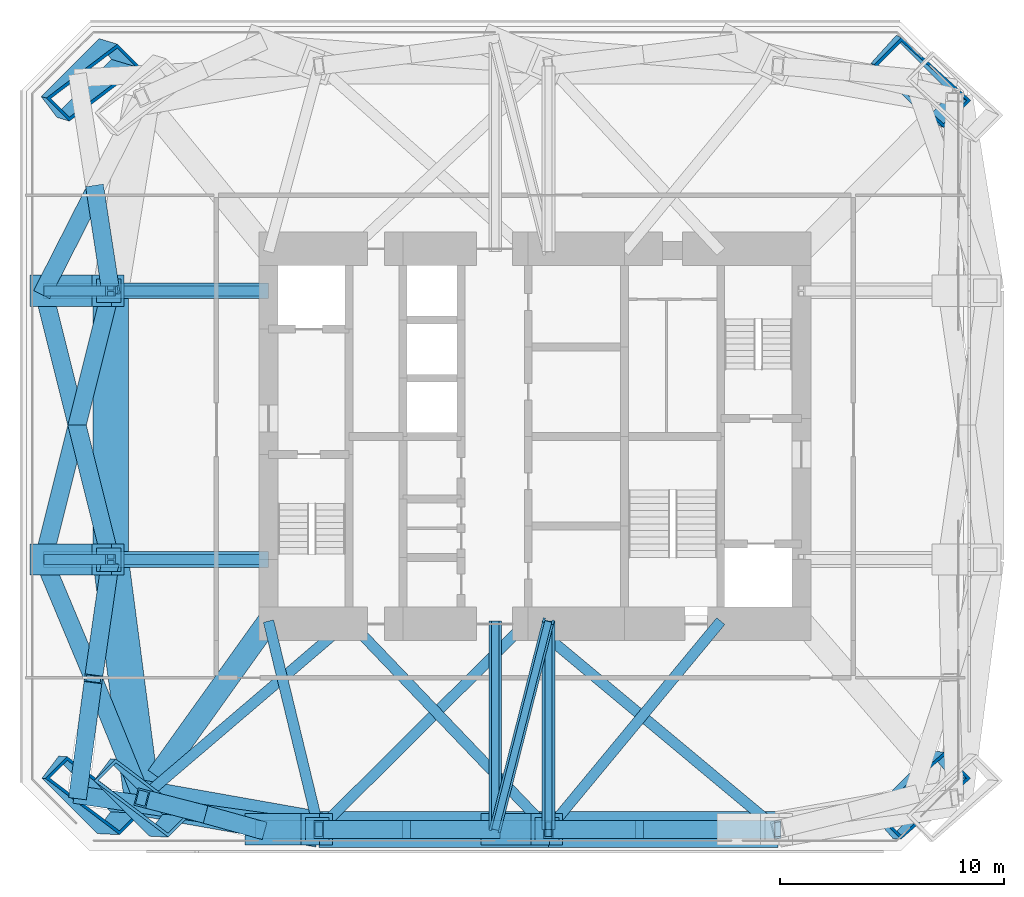
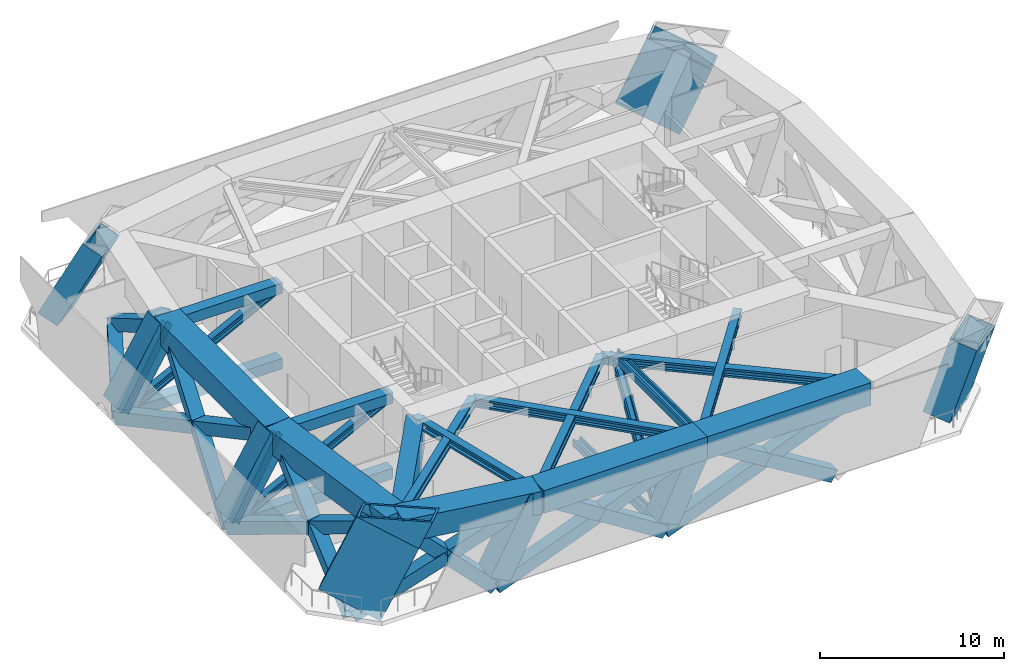
# One storey, part 1 of 8: 44 members, 6 beams, 4 columns.
"""IFC4 building model written with IfcOpenShell, lengths in metres."""

from ifc_helpers import new_model, si_unit, direction, frame, origin, origin_2d, place, context, subcontext, project, spatial, rectangle, hollow_rectangle, i_section, extrude, clip, halfspace, material, material_profile, profile_set, type_object, element, save


model = new_model("IFC4")

# Units and contexts
model_context = context("Model", 3, precision=1e-05, world=origin(), true_north=direction((0.0, 1.0)))
body_context = subcontext(model_context, "Body", "Model", "MODEL_VIEW")
ifc_project = project(units=[si_unit("LENGTHUNIT", "METRE"), si_unit("AREAUNIT", "SQUARE_METRE"), si_unit("VOLUMEUNIT", "CUBIC_METRE"), si_unit("PLANEANGLEUNIT", "RADIAN"), si_unit("MASSUNIT", "GRAM", prefix="KILO")], contexts=[model_context])

# Site, building, storey
site_placement = place(None, origin())
site = spatial("IfcSite", under=ifc_project, at=site_placement, CompositionType="ELEMENT")
building_placement = place(site_placement, origin())
building = spatial("IfcBuilding", under=site, at=building_placement, Name="Jalousie Tower", CompositionType="ELEMENT")
storey_placement = place(building_placement, frame((0.0, 0.0, 149.35009765625)))
storey = spatial("IfcBuildingStorey", under=building, at=storey_placement, Name="L40", CompositionType="ELEMENT", Elevation=149.35009765625)

# Columns
ifc_material_1 = material(Name="Steel EN 10025-2 S355J2 plate", Category="steel")
ifc_material_profile_1 = material_profile(ifc_material_1, hollow_rectangle(XDim=1.300048828125, YDim=3.800048828125, WallThickness=0.125, at=origin_2d()), Name="BOX 3800x1300x125")
ifc_profile_set_1 = profile_set([ifc_material_profile_1], Name="Steel EN 10025-2 S355J2 plate")
column_type_1 = type_object("IfcColumnType", Name="BUILT-UP BOX CORNER COLUMN BOX 3800x1300x125", PredefinedType="COLUMN", material=ifc_profile_set_1)
column_1_placement = place(storey_placement, frame((11.489990234375, 2.489990234375, 0.0), z_axis=(0.496153336889, -0.024578829467, 0.867886943925), x_axis=(0.57458296644, 0.758690253197, -0.306991065636)))
element("IfcColumn", 1, at=column_1_placement, inside=storey, type_object=column_type_1, Name="Corner column raked 01 L40", PredefinedType="COLUMN", context=body_context, shape_type="SweptSolid", body=[
    extrude(hollow_rectangle(XDim=1.300048828125, YDim=3.800048828125, WallThickness=0.125, at=origin_2d()), origin(), (0.0, 0.0, 1.0), 4.67626953125),
])
column_2_placement = place(storey_placement, frame((11.489990234375, 34.510009765625, 0.0), z_axis=(0.490881006736, -0.147415239126, 0.858664419025), x_axis=(0.544149142602, -0.717824668792, -0.434314926614)))
element("IfcColumn", 2, at=column_2_placement, inside=storey, type_object=column_type_1, Name="Corner column raked 12 L40", PredefinedType="COLUMN", context=body_context, shape_type="SweptSolid", body=[
    extrude(hollow_rectangle(XDim=1.300048828125, YDim=3.800048828125, WallThickness=0.125, at=origin_2d()), origin(), (0.0, 0.0, 1.0), 4.89208984375),
])
ifc_material_2 = material(Name="Steel EN 10025-2 S355J2 plate", Category="steel")
ifc_material_profile_2 = material_profile(ifc_material_2, hollow_rectangle(XDim=1.699951171875, YDim=3.89990234375, WallThickness=0.125, at=origin_2d()), Name="BOX 3900x1700x125")
ifc_profile_set_2 = profile_set([ifc_material_profile_2], Name="Steel EN 10025-2 S355J2 plate")
column_type_2 = type_object("IfcColumnType", Name="BUILT-UP BOX CORNER COLUMN BOX 3900x1700x125", PredefinedType="COLUMN", material=ifc_profile_set_2)
column_3_placement = place(storey_placement, frame((48.760009765625, 34.510009765625, 0.0), z_axis=(0.349369254051, -0.158541855607, 0.923474744833), x_axis=(-0.665986145367, -0.735293584717, 0.125721113791)))
element("IfcColumn", 3, at=column_3_placement, inside=storey, type_object=column_type_2, Name="Corner column raked 08 L40", PredefinedType="COLUMN", context=body_context, shape_type="SweptSolid", body=[
    extrude(hollow_rectangle(XDim=1.699951171875, YDim=3.89990234375, WallThickness=0.125, at=origin_2d()), origin(), (0.0, 0.0, 1.0), 4.533203125),
])
ifc_material_3 = material(Name="Steel EN 10025-2 S355J2 plate", Category="steel")
ifc_material_profile_3 = material_profile(ifc_material_3, hollow_rectangle(XDim=1.60009765625, YDim=4.0, WallThickness=0.125, at=origin_2d()), Name="BOX 4000x1600x125")
ifc_profile_set_3 = profile_set([ifc_material_profile_3], Name="Steel EN 10025-2 S355J2 plate")
column_type_3 = type_object("IfcColumnType", Name="BUILT-UP BOX CORNER COLUMN BOX 4000x1600x125", PredefinedType="COLUMN", material=ifc_profile_set_3)
column_4_placement = place(storey_placement, frame((48.760009765625, 2.489990234375, 0.0), z_axis=(0.353720522453, -0.026478820731, 0.934976290634), x_axis=(-0.635348857668, 0.726799609686, 0.260948570451)))
element("IfcColumn", 4, at=column_4_placement, inside=storey, type_object=column_type_3, Name="Corner column raked 05 L40", PredefinedType="COLUMN", context=body_context, shape_type="SweptSolid", body=[
    extrude(hollow_rectangle(XDim=1.60009765625, YDim=4.0, WallThickness=0.125, at=origin_2d()), origin(), (0.0, 0.0, 1.0), 4.610595703125),
])

# Beam
ifc_material_4 = material(Name="Steel ASTM A572 Grade 50 plate", Category="steel")
ifc_material_profile_4 = material_profile(ifc_material_4, hollow_rectangle(XDim=1.0, YDim=2.199951171875, WallThickness=0.10009765625, at=origin_2d()), Name="BOX 2200x1000x100")
ifc_profile_set_4 = profile_set([ifc_material_profile_4], Name="Steel ASTM A572 Grade 50 plate")
beam_type_1 = type_object("IfcBeamType", Name="KINK COLLECTOR BOX 2200x1000x100", PredefinedType="BEAM", material=ifc_profile_set_4)
beam_1_placement = place(storey_placement, frame((15.0302734375, 3.3017578125, 3.619873046875), z_axis=(0.58175713459, 0.813362549146, 0.0), x_axis=(-0.813362549146, 0.58175713459, 0.0)))
element("IfcBeam", 5, at=beam_1_placement, inside=storey, type_object=beam_type_1, Name="Kink collector 01 L41", PredefinedType="BEAM", context=body_context, shape_type="SweptSolid", body=[
    extrude(hollow_rectangle(XDim=1.0, YDim=2.199951171875, WallThickness=0.10009765625, at=origin_2d()), origin(), (0.0, 0.0, 1.0), 8.542724609375),
])

# Members
ifc_material_5 = material(Name="Steel ASTM A992 Grade 50", Category="steel")
ifc_material_profile_5 = material_profile(ifc_material_5, i_section(OverallWidth=0.472412109375, OverallDepth=0.5791015625, WebThickness=0.094970703125, FlangeThickness=0.1298828125, at=origin_2d()), Name="W14X808")
ifc_profile_set_5 = profile_set([ifc_material_profile_5], Name="Steel ASTM A992 Grade 50")
member_type_1 = type_object("IfcMemberType", Name="KINK FLOOR TRUSS DIAGONAL W14X808", PredefinedType="BRACE", material=ifc_profile_set_5)
member_1_placement = place(storey_placement, frame((14.348388671875, 2.348388671875, 4.430419921875), z_axis=(0.760409806303, 0.649443551418, 0.0), x_axis=(-0.649443551418, 0.760409806303, 0.0)))
element("IfcMember", 6, at=member_1_placement, inside=storey, type_object=member_type_1, Name="Kink floor truss L41 01 diagonal", PredefinedType="BRACE", context=body_context, shape_type="SweptSolid", body=[
    extrude(i_section(OverallWidth=0.472412109375, OverallDepth=0.5791015625, WebThickness=0.094970703125, FlangeThickness=0.1298828125, at=origin_2d()), origin(), (0.0, 0.0, 1.0), 12.166748046875),
])
member_2_placement = place(storey_placement, frame((22.25, 0.949951171875, 4.430419921875), z_axis=(-0.235150149953, 0.971959056225, 0.0), x_axis=(-0.971959056225, -0.235150149953, 0.0)))
element("IfcMember", 7, at=member_2_placement, inside=storey, type_object=member_type_1, Name="Kink floor truss L41 02 diagonal", PredefinedType="BRACE", context=body_context, shape_type="SweptSolid", body=[
    extrude(i_section(OverallWidth=0.472412109375, OverallDepth=0.5791015625, WebThickness=0.094970703125, FlangeThickness=0.1298828125, at=origin_2d()), origin(), (0.0, 0.0, 1.0), 9.568359375),
])
member_3_placement = place(storey_placement, frame((22.25, 0.949951171875, 4.430419921875), z_axis=(0.70900179328, 0.705206676887, 0.0), x_axis=(-0.705206676887, 0.70900179328, 0.0)))
element("IfcMember", 8, at=member_3_placement, inside=storey, type_object=member_type_1, Name="Kink floor truss L41 02 diagonal", PredefinedType="BRACE", context=body_context, shape_type="SweptSolid", body=[
    extrude(i_section(OverallWidth=0.472412109375, OverallDepth=0.5791015625, WebThickness=0.094970703125, FlangeThickness=0.1298828125, at=origin_2d()), origin(), (0.0, 0.0, 1.0), 13.187744140625),
])
member_4_placement = place(storey_placement, frame((32.5, 0.949951171875, 4.430419921875), z_axis=(-0.691393153844, 0.722478724128, 0.0), x_axis=(-0.722478724128, -0.691393153844, 0.0)))
element("IfcMember", 9, at=member_4_placement, inside=storey, type_object=member_type_1, Name="Kink floor truss L41 03 diagonal", PredefinedType="BRACE", context=body_context, shape_type="SweptSolid", body=[
    extrude(i_section(OverallWidth=0.472412109375, OverallDepth=0.5791015625, WebThickness=0.094970703125, FlangeThickness=0.1298828125, at=origin_2d()), origin(), (0.0, 0.0, 1.0), 12.872314453125),
])
member_5_placement = place(storey_placement, frame((32.5, 0.949951171875, 4.430419921875), z_axis=(0.637732816429, 0.770257654847, 0.0), x_axis=(-0.770257654847, 0.637732816429, 0.0)))
element("IfcMember", 10, at=member_5_placement, inside=storey, type_object=member_type_1, Name="Kink floor truss L41 03 diagonal", PredefinedType="BRACE", context=body_context, shape_type="SweptSolid", body=[
    extrude(i_section(OverallWidth=0.472412109375, OverallDepth=0.5791015625, WebThickness=0.094970703125, FlangeThickness=0.1298828125, at=origin_2d()), origin(), (0.0, 0.0, 1.0), 12.073974609375),
])
member_6_placement = place(storey_placement, frame((42.75, 0.949951171875, 4.430419921875), z_axis=(-0.76793452304, 0.640528350913, 0.0), x_axis=(-0.640528350913, -0.76793452304, 0.0)))
element("IfcMember", 11, at=member_6_placement, inside=storey, type_object=member_type_1, Name="Kink floor truss L41 04 diagonal", PredefinedType="BRACE", context=body_context, shape_type="SweptSolid", body=[
    extrude(i_section(OverallWidth=0.472412109375, OverallDepth=0.5791015625, WebThickness=0.094970703125, FlangeThickness=0.1298828125, at=origin_2d()), origin(), (0.0, 0.0, 1.0), 14.519287109375),
])
ifc_material_6 = material(Name="Steel EN 10025-2 S355J2 plate", Category="steel")
ifc_material_profile_6 = material_profile(ifc_material_6, hollow_rectangle(XDim=1.300048828125, YDim=3.800048828125, WallThickness=0.125, at=origin_2d()), Name="BOX 3800x1300x125")
ifc_profile_set_6 = profile_set([ifc_material_profile_6], Name="Steel EN 10025-2 S355J2 plate")
member_type_2 = type_object("IfcMemberType", Name="KINK NODE BOX 3800x1300x125", PredefinedType="MEMBER", material=ifc_profile_set_6)
member_7_placement = place(storey_placement, frame((13.81005859375, 2.375, 4.058349609375), z_axis=(0.49629392954, -0.024415276062, 0.86781117174), x_axis=(0.574276123838, 0.758889446486, -0.307072860412)))
element("IfcMember", 12, at=member_7_placement, inside=storey, type_object=member_type_2, Name="Kink node of corner column 01 at +154.350", PredefinedType="MEMBER", context=body_context, shape_type="Clipping", body=[
    clip(extrude(hollow_rectangle(XDim=1.300048828125, YDim=3.800048828125, WallThickness=0.125, at=origin_2d()), origin(), (0.0, 0.0, 1.0), 2.169921875), halfspace(frame((0.0, 0.0, 1.085205078125), z_axis=(-0.307072860412, 0.390653335583, 0.86781117174)), False)),
])
ifc_material_7 = material(Name="Steel ASTM A992 Grade 50", Category="steel")
ifc_material_profile_7 = material_profile(ifc_material_7, i_section(OverallWidth=0.45458984375, OverallDepth=0.569091796875, WebThickness=0.077880859375, FlangeThickness=0.124755859375, at=origin_2d()), Name="W14X730")
ifc_profile_set_7 = profile_set([ifc_material_profile_7], Name="Steel ASTM A992 Grade 50")
member_type_3 = type_object("IfcMemberType", Name="NORTH-SOUTH OUTRIGGER CHORD W14X730", PredefinedType="CHORD", material=ifc_profile_set_7)
for number, where, z_axis, x_axis, name in (
    (13, (30.125, 0.949951171875, -0.564697265625), (0.0, 1.0, 0.0), (0.0, 0.0, 1.0), "Outrigger T2 S03 chord L40"),
    (14, (32.5, 0.949951171875, 4.435302734375), (0.0, 1.0, 0.0), (0.0, 0.0, 1.0), "Outrigger T2 S03 chord L41"),
):
    element("IfcMember", number, at=place(storey_placement, frame(where, z_axis=z_axis, x_axis=x_axis)), inside=storey, type_object=member_type_3, Name=name, PredefinedType="CHORD", context=body_context, shape_type="SweptSolid", body=[
        extrude(i_section(OverallWidth=0.45458984375, OverallDepth=0.569091796875, WebThickness=0.077880859375, FlangeThickness=0.124755859375, at=origin_2d()), origin(), (0.0, 0.0, 1.0), 9.300048828125),
    ])
ifc_material_8 = material(Name="Steel ASTM A992 Grade 50", Category="steel")
ifc_material_profile_8 = material_profile(ifc_material_8, i_section(OverallWidth=0.43701171875, OverallDepth=0.51318359375, WebThickness=0.060546875, FlangeThickness=0.096923828125, at=origin_2d()), Name="W14X550")
ifc_profile_set_8 = profile_set([ifc_material_profile_8], Name="Steel ASTM A992 Grade 50")
member_type_4 = type_object("IfcMemberType", Name="NORTH-SOUTH OUTRIGGER DIAGONAL W14X550", PredefinedType="BRACE", material=ifc_profile_set_8)
member_8_placement = place(storey_placement, frame((30.125, 0.949951171875, -0.564697265625), z_axis=(0.219445510307, 0.859306930934, 0.461990548015), x_axis=(-0.114312192613, -0.447624830718, 0.886884847962)))
element("IfcMember", 15, at=member_8_placement, inside=storey, type_object=member_type_4, Name="Outrigger T2 S03 diagonal L40", PredefinedType="BRACE", context=body_context, shape_type="SweptSolid", body=[
    extrude(i_section(OverallWidth=0.43701171875, OverallDepth=0.51318359375, WebThickness=0.060546875, FlangeThickness=0.096923828125, at=origin_2d()), origin(), (0.0, 0.0, 1.0), 10.82275390625),
])
ifc_material_9 = material(Name="Steel ASTM A572 Grade 50 plate", Category="steel")
ifc_material_profile_9 = material_profile(ifc_material_9, hollow_rectangle(XDim=0.699951171875, YDim=0.699951171875, WallThickness=0.070068359375, at=origin_2d()), Name="BOX 700x700x70")
ifc_profile_set_9 = profile_set([ifc_material_profile_9], Name="Steel ASTM A572 Grade 50 plate")
member_type_5 = type_object("IfcMemberType", Name="OUTRIGGER CHORD BOX 700x700x70", PredefinedType="CHORD", material=ifc_profile_set_9)
member_9_placement = place(storey_placement, frame((9.949951171875, 13.0, -0.630126953125), z_axis=(1.0, 0.0, 0.0), x_axis=(0.0, 1.0, 0.0)))
element("IfcMember", 16, at=member_9_placement, inside=storey, type_object=member_type_5, Name="Outrigger T2 west arm at column 14 chord L40", PredefinedType="CHORD", context=body_context, shape_type="SweptSolid", body=[
    extrude(hollow_rectangle(XDim=0.699951171875, YDim=0.699951171875, WallThickness=0.070068359375, at=origin_2d()), origin(), (0.0, 0.0, 1.0), 10.050048828125),
])
member_10_placement = place(storey_placement, frame((12.949951171875, 13.0, 4.369873046875), z_axis=(1.0, 0.0, 0.0), x_axis=(0.0, 1.0, 0.0)))
element("IfcMember", 17, at=member_10_placement, inside=storey, type_object=member_type_5, Name="Outrigger T2 west arm at column 14 chord L41", PredefinedType="CHORD", context=body_context, shape_type="SweptSolid", body=[
    extrude(hollow_rectangle(XDim=0.699951171875, YDim=0.699951171875, WallThickness=0.070068359375, at=origin_2d()), origin(), (0.0, 0.0, 1.0), 7.050048828125),
])
member_11_placement = place(storey_placement, frame((9.949951171875, 25.0, -0.630126953125), z_axis=(1.0, 0.0, 0.0), x_axis=(0.0, 1.0, 0.0)))
element("IfcMember", 18, at=member_11_placement, inside=storey, type_object=member_type_5, Name="Outrigger T2 west arm at column 13 chord L40", PredefinedType="CHORD", context=body_context, shape_type="SweptSolid", body=[
    extrude(hollow_rectangle(XDim=0.699951171875, YDim=0.699951171875, WallThickness=0.070068359375, at=origin_2d()), origin(), (0.0, 0.0, 1.0), 10.050048828125),
])
member_12_placement = place(storey_placement, frame((12.949951171875, 25.0, 4.369873046875), z_axis=(1.0, 0.0, 0.0), x_axis=(0.0, 1.0, 0.0)))
element("IfcMember", 19, at=member_12_placement, inside=storey, type_object=member_type_5, Name="Outrigger T2 west arm at column 13 chord L41", PredefinedType="CHORD", context=body_context, shape_type="SweptSolid", body=[
    extrude(hollow_rectangle(XDim=0.699951171875, YDim=0.699951171875, WallThickness=0.070068359375, at=origin_2d()), origin(), (0.0, 0.0, 1.0), 7.050048828125),
])
ifc_material_10 = material(Name="Steel ASTM A992 Grade 50", Category="steel")
ifc_material_profile_10 = material_profile(ifc_material_10, i_section(OverallWidth=0.43701171875, OverallDepth=0.51318359375, WebThickness=0.060546875, FlangeThickness=0.096923828125, at=origin_2d()), Name="W14X550")
ifc_profile_set_10 = profile_set([ifc_material_profile_10], Name="Steel ASTM A992 Grade 50")
member_type_6 = type_object("IfcMemberType", Name="OUTRIGGER DIAGONAL W14X550", PredefinedType="BRACE", material=ifc_profile_set_10)
member_13_placement = place(storey_placement, frame((10.199951171875, 13.0, -0.630126953125), z_axis=(0.481918749772, 0.0, 0.876215908677), x_axis=(0.0, 1.0, 0.0)))
element("IfcMember", 20, at=member_13_placement, inside=storey, type_object=member_type_6, Name="Outrigger T2 west arm at column 14 diagonal L40", PredefinedType="BRACE", context=body_context, shape_type="SweptSolid", body=[
    extrude(i_section(OverallWidth=0.43701171875, OverallDepth=0.51318359375, WebThickness=0.060546875, FlangeThickness=0.096923828125, at=origin_2d()), origin(), (0.0, 0.0, 1.0), 5.706298828125),
])
member_14_placement = place(storey_placement, frame((10.199951171875, 13.0, -0.630126953125), z_axis=(0.890762786381, 0.0, 0.454468545006), x_axis=(0.0, 1.0, 0.0)))
element("IfcMember", 21, at=member_14_placement, inside=storey, type_object=member_type_6, Name="Outrigger T2 west arm at column 14 diagonal L40", PredefinedType="BRACE", context=body_context, shape_type="SweptSolid", body=[
    extrude(i_section(OverallWidth=0.43701171875, OverallDepth=0.51318359375, WebThickness=0.060546875, FlangeThickness=0.096923828125, at=origin_2d()), origin(), (0.0, 0.0, 1.0), 11.001953125),
])
member_15_placement = place(storey_placement, frame((10.199951171875, 25.0, -0.630126953125), z_axis=(0.481918749772, 0.0, 0.876215908677), x_axis=(0.0, 1.0, 0.0)))
element("IfcMember", 22, at=member_15_placement, inside=storey, type_object=member_type_6, Name="Outrigger T2 west arm at column 13 diagonal L40", PredefinedType="BRACE", context=body_context, shape_type="SweptSolid", body=[
    extrude(i_section(OverallWidth=0.43701171875, OverallDepth=0.51318359375, WebThickness=0.060546875, FlangeThickness=0.096923828125, at=origin_2d()), origin(), (0.0, 0.0, 1.0), 5.706298828125),
])
member_16_placement = place(storey_placement, frame((10.199951171875, 25.0, -0.630126953125), z_axis=(0.890762786381, 0.0, 0.454468545006), x_axis=(0.0, 1.0, 0.0)))
element("IfcMember", 23, at=member_16_placement, inside=storey, type_object=member_type_6, Name="Outrigger T2 west arm at column 13 diagonal L40", PredefinedType="BRACE", context=body_context, shape_type="SweptSolid", body=[
    extrude(i_section(OverallWidth=0.43701171875, OverallDepth=0.51318359375, WebThickness=0.060546875, FlangeThickness=0.096923828125, at=origin_2d()), origin(), (0.0, 0.0, 1.0), 11.001953125),
])
ifc_material_11 = material(Name="Steel ASTM A572 Grade 50 plate", Category="steel")
ifc_material_profile_11 = material_profile(ifc_material_11, hollow_rectangle(XDim=0.800048828125, YDim=0.800048828125, WallThickness=0.080078125, at=origin_2d()), Name="BOX 800x800x80")
ifc_profile_set_11 = profile_set([ifc_material_profile_11], Name="Steel ASTM A572 Grade 50 plate")
member_type_7 = type_object("IfcMemberType", Name="PERIMETER BRACE BOX 800x800x80", PredefinedType="BRACE", material=ifc_profile_set_11)
member_17_placement = place(storey_placement, frame((11.489990234375, 2.489990234375, -0.75), z_axis=(0.898520595292, -0.133087259646, 0.418268479754), x_axis=(0.14651967923, 0.989207755529, 0.0)))
element("IfcMember", 24, at=member_17_placement, inside=storey, type_object=member_type_7, Name="Perimeter brace 01-02 L40 part 1", PredefinedType="BRACE", context=body_context, shape_type="SweptSolid", body=[
    extrude(hollow_rectangle(XDim=0.800048828125, YDim=0.800048828125, WallThickness=0.080078125, at=origin_2d()), origin(), (0.0, 0.0, 1.0), 6.050048828125),
])
member_18_placement = place(storey_placement, frame((16.926025390625, 1.684814453125, 1.780517578125), z_axis=(0.900133648651, -0.12424461331, 0.417519688912), x_axis=(0.136732701302, 0.99060797917, 0.0)))
element("IfcMember", 25, at=member_18_placement, inside=storey, type_object=member_type_7, Name="Perimeter brace 01-02 L40 part 2", PredefinedType="BRACE", context=body_context, shape_type="SweptSolid", body=[
    extrude(hollow_rectangle(XDim=0.800048828125, YDim=0.800048828125, WallThickness=0.080078125, at=origin_2d()), origin(), (0.0, 0.0, 1.0), 5.91455078125),
])
member_19_placement = place(storey_placement, frame((19.5625, 0.949951171875, -0.75), z_axis=(-0.707296454673, 0.197144395645, 0.678870983673), x_axis=(-0.268494874495, -0.963281112848, 0.0)))
element("IfcMember", 26, at=member_19_placement, inside=storey, type_object=member_type_7, Name="Perimeter brace 01-02 L40 part 3", PredefinedType="BRACE", context=body_context, shape_type="SweptSolid", body=[
    extrude(hollow_rectangle(XDim=0.800048828125, YDim=0.800048828125, WallThickness=0.080078125, at=origin_2d()), origin(), (0.0, 0.0, 1.0), 3.7275390625),
])
member_20_placement = place(storey_placement, frame((16.926025390625, 1.684814453125, 1.780517578125), z_axis=(-0.709931545251, 0.182761312748, 0.68014373747), x_axis=(-0.249306511055, -0.96842462977, 0.0)))
element("IfcMember", 27, at=member_20_placement, inside=storey, type_object=member_type_7, Name="Perimeter brace 01-02 L40 part 4", PredefinedType="BRACE", context=body_context, shape_type="SweptSolid", body=[
    extrude(hollow_rectangle(XDim=0.800048828125, YDim=0.800048828125, WallThickness=0.080078125, at=origin_2d()), origin(), (0.0, 0.0, 1.0), 3.630859375),
])
member_21_placement = place(storey_placement, frame((19.5625, 0.949951171875, -0.75), z_axis=(0.932773222539, 0.0, 0.360463750348), x_axis=(0.0, 1.0, 0.0)))
element("IfcMember", 28, at=member_21_placement, inside=storey, type_object=member_type_7, Name="Perimeter brace 02-03 L40 part 1", PredefinedType="BRACE", context=body_context, shape_type="SweptSolid", body=[
    extrude(hollow_rectangle(XDim=0.800048828125, YDim=0.800048828125, WallThickness=0.080078125, at=origin_2d()), origin(), (0.0, 0.0, 1.0), 7.0390625),
])
member_22_placement = place(storey_placement, frame((26.12841796875, 0.949951171875, 1.787353515625), z_axis=(0.932753889554, 0.0, 0.360513774386), x_axis=(0.0, 1.0, 0.0)))
element("IfcMember", 29, at=member_22_placement, inside=storey, type_object=member_type_7, Name="Perimeter brace 02-03 L40 part 2", PredefinedType="BRACE", context=body_context, shape_type="SweptSolid", body=[
    extrude(hollow_rectangle(XDim=0.800048828125, YDim=0.800048828125, WallThickness=0.080078125, at=origin_2d()), origin(), (0.0, 0.0, 1.0), 6.8310546875),
])
member_23_placement = place(storey_placement, frame((30.125, 0.949951171875, -0.75), z_axis=(-0.844228002109, 0.0, 0.535984216611), x_axis=(0.0, -1.0, 0.0)))
element("IfcMember", 30, at=member_23_placement, inside=storey, type_object=member_type_7, Name="Perimeter brace 02-03 L40 part 3", PredefinedType="BRACE", context=body_context, shape_type="SweptSolid", body=[
    extrude(hollow_rectangle(XDim=0.800048828125, YDim=0.800048828125, WallThickness=0.080078125, at=origin_2d()), origin(), (0.0, 0.0, 1.0), 4.73388671875),
])
member_24_placement = place(storey_placement, frame((26.12841796875, 0.949951171875, 1.787353515625), z_axis=(-0.84419716555, 0.0, 0.536032784144), x_axis=(0.0, -1.0, 0.0)))
element("IfcMember", 31, at=member_24_placement, inside=storey, type_object=member_type_7, Name="Perimeter brace 02-03 L40 part 4", PredefinedType="BRACE", context=body_context, shape_type="SweptSolid", body=[
    extrude(hollow_rectangle(XDim=0.800048828125, YDim=0.800048828125, WallThickness=0.080078125, at=origin_2d()), origin(), (0.0, 0.0, 1.0), 4.59423828125),
])
member_25_placement = place(storey_placement, frame((30.125, 0.949951171875, -0.75), z_axis=(0.929749014361, 0.0, 0.368193930279), x_axis=(0.0, 1.0, 0.0)))
element("IfcMember", 32, at=member_25_placement, inside=storey, type_object=member_type_7, Name="Perimeter brace 03-04 L40 part 1", PredefinedType="BRACE", context=body_context, shape_type="SweptSolid", body=[
    extrude(hollow_rectangle(XDim=0.800048828125, YDim=0.800048828125, WallThickness=0.080078125, at=origin_2d()), origin(), (0.0, 0.0, 1.0), 6.891357421875),
])
member_26_placement = place(storey_placement, frame((36.5322265625, 0.949951171875, 1.787353515625), z_axis=(0.929732678401, 0.0, 0.368235178539), x_axis=(0.0, 1.0, 0.0)))
element("IfcMember", 33, at=member_26_placement, inside=storey, type_object=member_type_7, Name="Perimeter brace 03-04 L40 part 2", PredefinedType="BRACE", context=body_context, shape_type="SweptSolid", body=[
    extrude(hollow_rectangle(XDim=0.800048828125, YDim=0.800048828125, WallThickness=0.080078125, at=origin_2d()), origin(), (0.0, 0.0, 1.0), 6.687744140625),
])
member_27_placement = place(storey_placement, frame((40.6875, 0.949951171875, -0.75), z_axis=(-0.853462753915, 0.0, 0.521153842623), x_axis=(0.0, -1.0, 0.0)))
element("IfcMember", 34, at=member_27_placement, inside=storey, type_object=member_type_7, Name="Perimeter brace 03-04 L40 part 3", PredefinedType="BRACE", context=body_context, shape_type="SweptSolid", body=[
    extrude(hollow_rectangle(XDim=0.800048828125, YDim=0.800048828125, WallThickness=0.080078125, at=origin_2d()), origin(), (0.0, 0.0, 1.0), 4.86865234375),
])
member_28_placement = place(storey_placement, frame((36.5322265625, 0.949951171875, 1.787353515625), z_axis=(-0.853422305314, 0.0, 0.521220077119), x_axis=(0.0, -1.0, 0.0)))
element("IfcMember", 35, at=member_28_placement, inside=storey, type_object=member_type_7, Name="Perimeter brace 03-04 L40 part 4", PredefinedType="BRACE", context=body_context, shape_type="SweptSolid", body=[
    extrude(hollow_rectangle(XDim=0.800048828125, YDim=0.800048828125, WallThickness=0.080078125, at=origin_2d()), origin(), (0.0, 0.0, 1.0), 4.724853515625),
])
member_29_placement = place(storey_placement, frame((12.25390625, 29.53076171875, 1.8681640625), z_axis=(0.134741142639, -0.877069843945, 0.461078424266), x_axis=(0.988404308356, 0.151845063214, 0.0)))
element("IfcMember", 36, at=member_29_placement, inside=storey, type_object=member_type_7, Name="Perimeter brace 12-13 L40 part 2", PredefinedType="BRACE", context=body_context, shape_type="SweptSolid", body=[
    extrude(hollow_rectangle(XDim=0.800048828125, YDim=0.800048828125, WallThickness=0.080078125, at=origin_2d()), origin(), (0.0, 0.0, 1.0), 5.165771484375),
])
member_30_placement = place(storey_placement, frame((9.949951171875, 25.0, -0.75), z_axis=(0.402959383919, 0.79242558512, 0.457914213537), x_axis=(-0.8913709867, 0.453274490866, 0.0)))
element("IfcMember", 37, at=member_30_placement, inside=storey, type_object=member_type_7, Name="Perimeter brace 12-13 L40 part 3", PredefinedType="BRACE", context=body_context, shape_type="SweptSolid", body=[
    extrude(hollow_rectangle(XDim=0.800048828125, YDim=0.800048828125, WallThickness=0.080078125, at=origin_2d()), origin(), (0.0, 0.0, 1.0), 5.717529296875),
])
for number, where, z_axis, x_axis, name in (
    (38, (9.949951171875, 25.0, -0.75), (0.224859506699, -0.899438026795, 0.374765844498), (0.970142500145, 0.242535625036, 0.0), "Perimeter brace 13-14 L40 part 1"),
    (39, (11.449951171875, 19.0, 1.75), (0.224859506699, -0.899438026795, 0.374765844498), (0.970142500145, 0.242535625036, 0.0), "Perimeter brace 13-14 L40 part 2"),
    (40, (9.949951171875, 13.0, -0.75), (0.224859506699, 0.899438026795, 0.374765844498), (-0.970142500145, 0.242535625036, 0.0), "Perimeter brace 13-14 L40 part 3"),
    (41, (11.449951171875, 19.0, 1.75), (0.224859506699, 0.899438026795, 0.374765844498), (-0.970142500145, 0.242535625036, 0.0), "Perimeter brace 13-14 L40 part 4"),
):
    element("IfcMember", number, at=place(storey_placement, frame(where, z_axis=z_axis, x_axis=x_axis)), inside=storey, type_object=member_type_7, Name=name, PredefinedType="BRACE", context=body_context, shape_type="SweptSolid", body=[
        extrude(hollow_rectangle(XDim=0.800048828125, YDim=0.800048828125, WallThickness=0.080078125, at=origin_2d()), origin(), (0.0, 0.0, 1.0), 6.6708984375),
    ])
member_31_placement = place(storey_placement, frame((9.949951171875, 13.0, -0.75), z_axis=(0.354852993147, -0.847251324631, 0.395277808847), x_axis=(0.922367432001, 0.386313758989, 0.0)))
element("IfcMember", 42, at=member_31_placement, inside=storey, type_object=member_type_7, Name="Perimeter brace 14-01 L40 part 1", PredefinedType="BRACE", context=body_context, shape_type="SweptSolid", body=[
    extrude(hollow_rectangle(XDim=0.800048828125, YDim=0.800048828125, WallThickness=0.080078125, at=origin_2d()), origin(), (0.0, 0.0, 1.0), 6.287109375),
])
member_32_placement = place(storey_placement, frame((12.180908203125, 7.67333984375, 1.735107421875), z_axis=(0.345405844623, -0.848574777774, 0.400768822422), x_axis=(0.926210467788, 0.377006855853, 0.0)))
element("IfcMember", 43, at=member_32_placement, inside=storey, type_object=member_type_7, Name="Perimeter brace 14-01 L40 part 2", PredefinedType="BRACE", context=body_context, shape_type="SweptSolid", body=[
    extrude(hollow_rectangle(XDim=0.800048828125, YDim=0.800048828125, WallThickness=0.080078125, at=origin_2d()), origin(), (0.0, 0.0, 1.0), 6.275146484375),
])
member_33_placement = place(storey_placement, frame((11.489990234375, 2.489990234375, -0.75), z_axis=(0.119336399253, 0.895276004432, 0.42923152226), x_axis=(-0.991232793068, 0.132127022014, 0.0)))
element("IfcMember", 44, at=member_33_placement, inside=storey, type_object=member_type_7, Name="Perimeter brace 14-01 L40 part 3", PredefinedType="BRACE", context=body_context, shape_type="SweptSolid", body=[
    extrude(hollow_rectangle(XDim=0.800048828125, YDim=0.800048828125, WallThickness=0.080078125, at=origin_2d()), origin(), (0.0, 0.0, 1.0), 5.78955078125),
])
member_34_placement = place(storey_placement, frame((12.180908203125, 7.67333984375, 1.735107421875), z_axis=(0.129457836374, 0.896670182222, 0.423347673805), x_axis=(-0.989737911167, 0.142894601713, 0.0)))
element("IfcMember", 45, at=member_34_placement, inside=storey, type_object=member_type_7, Name="Perimeter brace 14-01 L40 part 4", PredefinedType="BRACE", context=body_context, shape_type="SweptSolid", body=[
    extrude(hollow_rectangle(XDim=0.800048828125, YDim=0.800048828125, WallThickness=0.080078125, at=origin_2d()), origin(), (0.0, 0.0, 1.0), 5.9404296875),
])

# Beams
ifc_material_12 = material(Name="Concrete f'c 40 MPa", Category="concrete")
ifc_material_profile_12 = material_profile(ifc_material_12, rectangle(XDim=1.60009765625, YDim=1.5, at=origin_2d()), Name="RC 1600x1500")
ifc_profile_set_12 = profile_set([ifc_material_profile_12], Name="Concrete f'c 40 MPa")
beam_type_2 = type_object("IfcBeamType", Name="RC BEAM 1600x1500", PredefinedType="BEAM", material=ifc_profile_set_12)
beam_2_placement = place(storey_placement, frame((14.348388671875, 2.348388671875, 4.25), z_axis=(0.984697370688, -0.174273027632, 0.0), x_axis=(0.174273027632, 0.984697370688, 0.0)))
element("IfcBeam", 46, at=beam_2_placement, inside=storey, type_object=beam_type_2, Name="Edge band beam 01-02 under L41", PredefinedType="BEAM", context=body_context, shape_type="SweptSolid", body=[
    extrude(rectangle(XDim=1.60009765625, YDim=1.5, at=origin_2d()), origin(), (0.0, 0.0, 1.0), 8.0244140625),
])
for number, where, z_axis, x_axis, name in (
    (47, (22.25, 0.949951171875, 4.25), (1.0, 0.0, 0.0), (0.0, 1.0, 0.0), "Edge band beam 02-03 under L41"),
    (48, (32.5, 0.949951171875, 4.25), (1.0, 0.0, 0.0), (0.0, 1.0, 0.0), "Edge band beam 03-04 under L41"),
):
    element("IfcBeam", number, at=place(storey_placement, frame(where, z_axis=z_axis, x_axis=x_axis)), inside=storey, type_object=beam_type_2, Name=name, PredefinedType="BEAM", context=body_context, shape_type="SweptSolid", body=[
        extrude(rectangle(XDim=1.60009765625, YDim=1.5, at=origin_2d()), origin(), (0.0, 0.0, 1.0), 10.25),
    ])
beam_3_placement = place(storey_placement, frame((12.949951171875, 25.0, 4.25), z_axis=(0.0, -1.0, 0.0), x_axis=(1.0, 0.0, 0.0)))
element("IfcBeam", 49, at=beam_3_placement, inside=storey, type_object=beam_type_2, Name="Edge band beam 13-14 under L41", PredefinedType="BEAM", context=body_context, shape_type="SweptSolid", body=[
    extrude(rectangle(XDim=1.60009765625, YDim=1.5, at=origin_2d()), origin(), (0.0, 0.0, 1.0), 12.0),
])
beam_4_placement = place(storey_placement, frame((12.949951171875, 13.0, 4.25), z_axis=(0.130171745558, -0.991491460709, 0.0), x_axis=(0.991491460709, 0.130171745558, 0.0)))
element("IfcBeam", 50, at=beam_4_placement, inside=storey, type_object=beam_type_2, Name="Edge band beam 14-01 under L41", PredefinedType="BEAM", context=body_context, shape_type="SweptSolid", body=[
    extrude(rectangle(XDim=1.60009765625, YDim=1.5, at=origin_2d()), origin(), (0.0, 0.0, 1.0), 10.742919921875),
])

# Members
ifc_material_13 = material(Name="Steel EN 10025-2 S355J2 plate", Category="steel")
ifc_material_profile_13 = material_profile(ifc_material_13, hollow_rectangle(XDim=1.39990234375, YDim=1.39990234375, WallThickness=0.175048828125, at=origin_2d()), Name="BOX 1400x1400x175")
ifc_profile_set_13 = profile_set([ifc_material_profile_13], Name="Steel EN 10025-2 S355J2 plate")
member_type_8 = type_object("IfcMemberType", Name="TRANSFER TRUSS STRUT BOX 1400x1400x175", PredefinedType="STRUT", material=ifc_profile_set_13)
member_35_placement = place(storey_placement, frame((19.5625, 0.949951171875, 0.0), z_axis=(0.473443113396, 0.0, 0.880824397016), x_axis=(0.0, 1.0, 0.0)))
element("IfcMember", 51, at=member_35_placement, inside=storey, type_object=member_type_8, Name="Transfer truss T2 strut 02 L40", PredefinedType="STRUT", context=body_context, shape_type="Clipping", body=[
    clip(extrude(hollow_rectangle(XDim=1.39990234375, YDim=1.39990234375, WallThickness=0.175048828125, at=origin_2d()), origin(), (0.0, 0.0, 1.0), 5.676513671875), halfspace(frame((0.0, 0.0, 5.65380859375), z_axis=(0.0, 0.473443113396, 0.880824397016)), False)),
])
member_36_placement = place(storey_placement, frame((30.125, 0.949951171875, 0.0), z_axis=(0.429056814568, 0.0, 0.903277504354), x_axis=(0.0, 1.0, 0.0)))
element("IfcMember", 52, at=member_36_placement, inside=storey, type_object=member_type_8, Name="Transfer truss T2 strut 03 L40", PredefinedType="STRUT", context=body_context, shape_type="Clipping", body=[
    clip(extrude(hollow_rectangle(XDim=1.39990234375, YDim=1.39990234375, WallThickness=0.175048828125, at=origin_2d()), origin(), (0.0, 0.0, 1.0), 5.535400390625), halfspace(frame((0.0, 0.0, 5.51318359375), z_axis=(0.0, 0.429056814568, 0.903277504354)), False)),
])
for number, where, z_axis, x_axis, name in (
    (53, (9.949951171875, 25.0, 0.0), (0.514495755428, 0.0, 0.857492925713), (0.0, 1.0, 0.0), "Transfer truss T2 strut 13 L40"),
    (54, (9.949951171875, 13.0, 0.0), (0.514495755428, 0.0, 0.857492925713), (0.0, 1.0, 0.0), "Transfer truss T2 strut 14 L40"),
):
    element("IfcMember", number, at=place(storey_placement, frame(where, z_axis=z_axis, x_axis=x_axis)), inside=storey, type_object=member_type_8, Name=name, PredefinedType="STRUT", context=body_context, shape_type="Clipping", body=[
        clip(extrude(hollow_rectangle(XDim=1.39990234375, YDim=1.39990234375, WallThickness=0.175048828125, at=origin_2d()), origin(), (0.0, 0.0, 1.0), 5.8310546875), halfspace(frame((0.0, 0.0, 5.8076171875), z_axis=(0.0, 0.514495755428, 0.857492925713)), False)),
    ])

save(model, "model.ifc")
